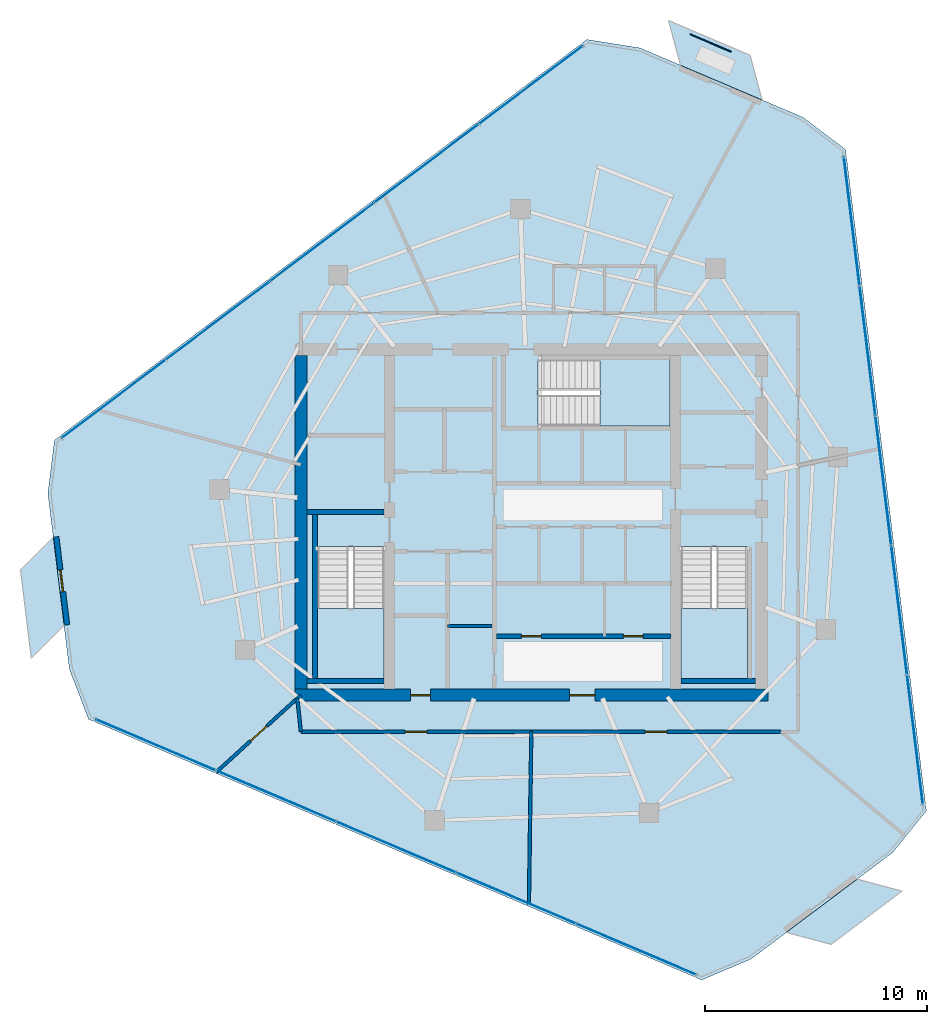
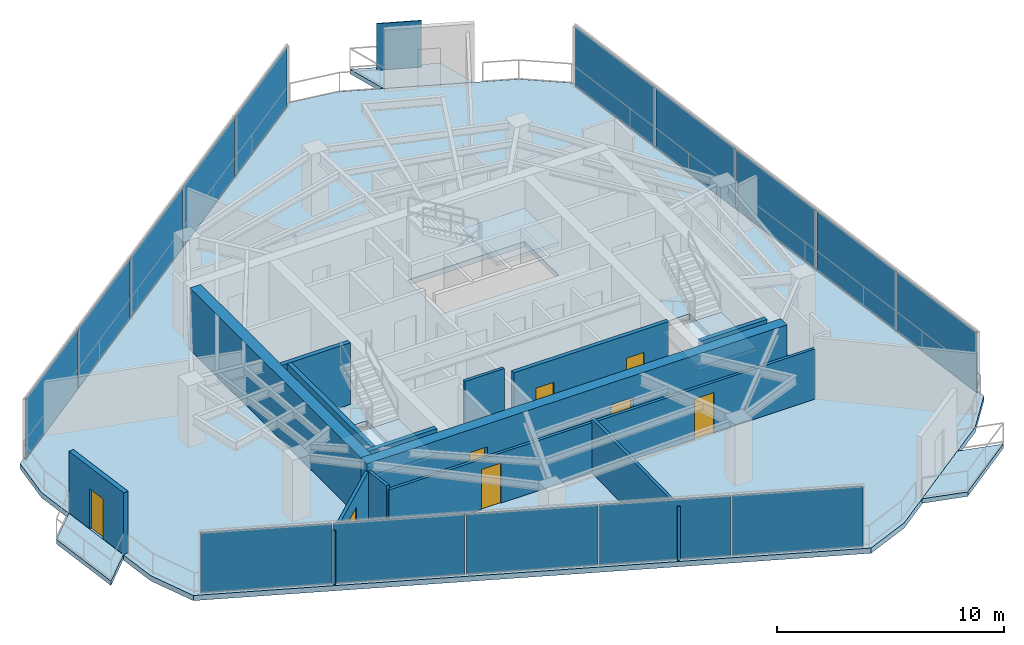
# One storey, part 13 of 18: 16 plates, 14 walls, 8 doors, 7 slabs, 8 openings, 6 elements without a shape of their own.
"""IFC4 building model written with IfcOpenShell, lengths in metres."""

from ifc_helpers import new_model, si_unit, direction, frame, frame_2d, origin, origin_2d, place, context, subcontext, project, spatial, polyline, rectangle, outline, extrude, material, layer, layer_set, type_object, element, fill, aggregate, save


model = new_model("IFC4")

# Units and contexts
model_context = context("Model", 3, precision=1e-05, world=origin(), true_north=direction((0.0, 1.0)))
body_context = subcontext(model_context, "Body", "Model", "MODEL_VIEW")
ifc_project = project(units=[si_unit("LENGTHUNIT", "METRE"), si_unit("AREAUNIT", "SQUARE_METRE"), si_unit("VOLUMEUNIT", "CUBIC_METRE"), si_unit("PLANEANGLEUNIT", "RADIAN"), si_unit("MASSUNIT", "GRAM", prefix="KILO")], contexts=[model_context])

# Site, building, storey
site_placement = place(None, origin())
site = spatial("IfcSite", under=ifc_project, at=site_placement, CompositionType="ELEMENT")
building_placement = place(site_placement, origin())
building = spatial("IfcBuilding", under=site, at=building_placement, Name="Qarnah Convention Tower", CompositionType="ELEMENT")
storey_placement = place(building_placement, frame((0.0, 0.0, 205.800048828125)))
storey = spatial("IfcBuildingStorey", under=building, at=storey_placement, Name="L55", CompositionType="ELEMENT", Elevation=205.800048828125)

# Curtain wall, plates
ifc_material_1 = material(Name="Tempered Low-E dark glass", Category="glass")
ifc_layer_1 = layer(ifc_material_1, 0.174072265625)
ifc_layer_set_1 = layer_set([ifc_layer_1], Name="Tempered Low-E dark glass")
curtain_wall_type = type_object("IfcCurtainWallType", Name="CWS-04", PredefinedType="NOTDEFINED", material=ifc_layer_set_1)
curtain_wall_1_placement = place(storey_placement, origin())
curtain_wall_1 = element("IfcCurtainWall", 1, at=curtain_wall_1_placement, inside=storey, type_object=curtain_wall_type, Name="L55 unitised curtain wall CW-L55-F1", PredefinedType="NOTDEFINED")
ifc_layer_2 = layer(ifc_material_1, 0.033935546875)
ifc_layer_set_2 = layer_set([ifc_layer_2], Name="Tempered Low-E dark glass")
plate_type_1 = type_object("IfcPlateType", Name="PNL-T4", PredefinedType="CURTAIN_PANEL", material=ifc_layer_set_2)
plate_1_placement = place(storey_placement, frame((41.947265625, 7.122314453125, 0.0400390625), z_axis=(0.0, 0.0, 1.0), x_axis=(-0.920229798126, 0.391378485155, 0.0)))
plate_1 = element("IfcPlate", 2, at=plate_1_placement, type_object=plate_type_1, Name="CW-L55-F1 curtain panel 1.1", PredefinedType="CURTAIN_PANEL", context=body_context, shape_type="SweptSolid", body=[
    extrude(rectangle(XDim=5.8134765625, YDim=0.033935546875, at=origin_2d()), origin(), (0.0, 0.0, 1.0), 3.239990234375),
])
plate_2_placement = place(storey_placement, frame((36.52392578125, 9.428955078125, 0.0400390625), z_axis=(0.0, 0.0, 1.0), x_axis=(-0.920229798126, 0.391378485155, 0.0)))
plate_2 = element("IfcPlate", 3, at=plate_2_placement, type_object=plate_type_1, Name="CW-L55-F1 curtain panel 2.1", PredefinedType="CURTAIN_PANEL", context=body_context, shape_type="SweptSolid", body=[
    extrude(rectangle(XDim=5.8134765625, YDim=0.033935546875, at=origin_2d()), origin(), (0.0, 0.0, 1.0), 3.239990234375),
])
plate_3_placement = place(storey_placement, frame((31.1005859375, 11.735595703125, 0.0400390625), z_axis=(0.0, 0.0, 1.0), x_axis=(-0.920229798126, 0.391378485155, 0.0)))
plate_3 = element("IfcPlate", 4, at=plate_3_placement, type_object=plate_type_1, Name="CW-L55-F1 curtain panel 3.1", PredefinedType="CURTAIN_PANEL", context=body_context, shape_type="SweptSolid", body=[
    extrude(rectangle(XDim=5.8134765625, YDim=0.033935546875, at=origin_2d()), origin(), (0.0, 0.0, 1.0), 3.239990234375),
])
plate_4_placement = place(storey_placement, frame((25.677001953125, 14.0419921875, 0.0400390625), z_axis=(0.0, 0.0, 1.0), x_axis=(-0.920229798126, 0.391378485155, 0.0)))
plate_4 = element("IfcPlate", 5, at=plate_4_placement, type_object=plate_type_1, Name="CW-L55-F1 curtain panel 4.1", PredefinedType="CURTAIN_PANEL", context=body_context, shape_type="SweptSolid", body=[
    extrude(rectangle(XDim=5.8134765625, YDim=0.033935546875, at=origin_2d()), origin(), (0.0, 0.0, 1.0), 3.239990234375),
])
plate_5_placement = place(storey_placement, frame((20.253662109375, 16.3486328125, 0.0400390625), z_axis=(0.0, 0.0, 1.0), x_axis=(-0.920229798126, 0.391378485155, 0.0)))
plate_5 = element("IfcPlate", 6, at=plate_5_placement, type_object=plate_type_1, Name="CW-L55-F1 curtain panel 5.1", PredefinedType="CURTAIN_PANEL", context=body_context, shape_type="SweptSolid", body=[
    extrude(rectangle(XDim=5.8134765625, YDim=0.033935546875, at=origin_2d()), origin(), (0.0, 0.0, 1.0), 3.239990234375),
])
aggregate(curtain_wall_1, [plate_1, plate_2, plate_3, plate_4, plate_5])

curtain_wall_2_placement = place(storey_placement, origin())
curtain_wall_2 = element("IfcCurtainWall", 7, at=curtain_wall_2_placement, inside=storey, type_object=curtain_wall_type, Name="L55 unitised curtain wall CW-L55-F2", PredefinedType="NOTDEFINED")
plate_6_placement = place(storey_placement, frame((18.347412109375, 31.9619140625, 0.0400390625), z_axis=(0.0, 0.0, 1.0), x_axis=(0.799033812061, 0.601286094287, 0.0)))
plate_6 = element("IfcPlate", 8, at=plate_6_placement, type_object=plate_type_1, Name="CW-L55-F2 curtain panel 1.1", PredefinedType="CURTAIN_PANEL", context=body_context, shape_type="SweptSolid", body=[
    extrude(rectangle(XDim=5.8134765625, YDim=0.033935546875, at=origin_2d()), origin(), (0.0, 0.0, 1.0), 3.239990234375),
])
plate_7_placement = place(storey_placement, frame((23.056396484375, 35.50537109375, 0.0400390625), z_axis=(0.0, 0.0, 1.0), x_axis=(0.799033812061, 0.601286094287, 0.0)))
plate_7 = element("IfcPlate", 9, at=plate_7_placement, type_object=plate_type_1, Name="CW-L55-F2 curtain panel 2.1", PredefinedType="CURTAIN_PANEL", context=body_context, shape_type="SweptSolid", body=[
    extrude(rectangle(XDim=5.8134765625, YDim=0.033935546875, at=origin_2d()), origin(), (0.0, 0.0, 1.0), 3.239990234375),
])
plate_8_placement = place(storey_placement, frame((27.765380859375, 39.049072265625, 0.0400390625), z_axis=(0.0, 0.0, 1.0), x_axis=(0.799033812061, 0.601286094287, 0.0)))
plate_8 = element("IfcPlate", 10, at=plate_8_placement, type_object=plate_type_1, Name="CW-L55-F2 curtain panel 3.1", PredefinedType="CURTAIN_PANEL", context=body_context, shape_type="SweptSolid", body=[
    extrude(rectangle(XDim=5.8134765625, YDim=0.033935546875, at=origin_2d()), origin(), (0.0, 0.0, 1.0), 3.239990234375),
])
plate_9_placement = place(storey_placement, frame((32.474609375, 42.592529296875, 0.0400390625), z_axis=(0.0, 0.0, 1.0), x_axis=(0.799033812061, 0.601286094287, 0.0)))
plate_9 = element("IfcPlate", 11, at=plate_9_placement, type_object=plate_type_1, Name="CW-L55-F2 curtain panel 4.1", PredefinedType="CURTAIN_PANEL", context=body_context, shape_type="SweptSolid", body=[
    extrude(rectangle(XDim=5.8134765625, YDim=0.033935546875, at=origin_2d()), origin(), (0.0, 0.0, 1.0), 3.239990234375),
])
plate_10_placement = place(storey_placement, frame((37.18359375, 46.13623046875, 0.0400390625), z_axis=(0.0, 0.0, 1.0), x_axis=(0.799033812061, 0.601286094287, 0.0)))
plate_10 = element("IfcPlate", 12, at=plate_10_placement, type_object=plate_type_1, Name="CW-L55-F2 curtain panel 5.1", PredefinedType="CURTAIN_PANEL", context=body_context, shape_type="SweptSolid", body=[
    extrude(rectangle(XDim=5.8134765625, YDim=0.033935546875, at=origin_2d()), origin(), (0.0, 0.0, 1.0), 3.239990234375),
])
aggregate(curtain_wall_2, [plate_6, plate_7, plate_8, plate_9, plate_10])

curtain_wall_3_placement = place(storey_placement, origin())
curtain_wall_3 = element("IfcCurtainWall", 13, at=curtain_wall_3_placement, inside=storey, type_object=curtain_wall_type, Name="L55 unitised curtain wall CW-L55-F3", PredefinedType="NOTDEFINED")
plate_11_placement = place(storey_placement, frame((51.6591796875, 39.97998046875, 0.0400390625), z_axis=(0.0, 0.0, 1.0), x_axis=(0.121219125701, -0.992625772164, 0.0)))
plate_11 = element("IfcPlate", 14, at=plate_11_placement, type_object=plate_type_1, Name="CW-L55-F3 curtain panel 1.1", PredefinedType="CURTAIN_PANEL", context=body_context, shape_type="SweptSolid", body=[
    extrude(rectangle(XDim=5.8134765625, YDim=0.033935546875, at=origin_2d()), origin(), (0.0, 0.0, 1.0), 3.239990234375),
])
plate_12_placement = place(storey_placement, frame((52.37353515625, 34.1298828125, 0.0400390625), z_axis=(0.0, 0.0, 1.0), x_axis=(0.121219125701, -0.992625772164, 0.0)))
plate_12 = element("IfcPlate", 15, at=plate_12_placement, type_object=plate_type_1, Name="CW-L55-F3 curtain panel 2.1", PredefinedType="CURTAIN_PANEL", context=body_context, shape_type="SweptSolid", body=[
    extrude(rectangle(XDim=5.8134765625, YDim=0.033935546875, at=origin_2d()), origin(), (0.0, 0.0, 1.0), 3.239990234375),
])
plate_13_placement = place(storey_placement, frame((53.087890625, 28.280029296875, 0.0400390625), z_axis=(0.0, 0.0, 1.0), x_axis=(0.121219125701, -0.992625772164, 0.0)))
plate_13 = element("IfcPlate", 16, at=plate_13_placement, type_object=plate_type_1, Name="CW-L55-F3 curtain panel 3.1", PredefinedType="CURTAIN_PANEL", context=body_context, shape_type="SweptSolid", body=[
    extrude(rectangle(XDim=5.8134765625, YDim=0.033935546875, at=origin_2d()), origin(), (0.0, 0.0, 1.0), 3.239990234375),
])
plate_14_placement = place(storey_placement, frame((53.802490234375, 22.429931640625, 0.0400390625), z_axis=(0.0, 0.0, 1.0), x_axis=(0.121219125701, -0.992625772164, 0.0)))
plate_14 = element("IfcPlate", 17, at=plate_14_placement, type_object=plate_type_1, Name="CW-L55-F3 curtain panel 4.1", PredefinedType="CURTAIN_PANEL", context=body_context, shape_type="SweptSolid", body=[
    extrude(rectangle(XDim=5.8134765625, YDim=0.033935546875, at=origin_2d()), origin(), (0.0, 0.0, 1.0), 3.239990234375),
])
plate_15_placement = place(storey_placement, frame((54.516845703125, 16.580078125, 0.0400390625), z_axis=(0.0, 0.0, 1.0), x_axis=(0.121219125701, -0.992625772164, 0.0)))
plate_15 = element("IfcPlate", 18, at=plate_15_placement, type_object=plate_type_1, Name="CW-L55-F3 curtain panel 5.1", PredefinedType="CURTAIN_PANEL", context=body_context, shape_type="SweptSolid", body=[
    extrude(rectangle(XDim=5.8134765625, YDim=0.033935546875, at=origin_2d()), origin(), (0.0, 0.0, 1.0), 3.239990234375),
])
aggregate(curtain_wall_3, [plate_11, plate_12, plate_13, plate_14, plate_15])

# Plate
ifc_material_2 = material(Name="Black anodised aluminium", Category="aluminium")
ifc_layer_3 = layer(ifc_material_2, 0.044921875)
ifc_layer_set_3 = layer_set([ifc_layer_3], Name="Black anodised aluminium")
plate_type_2 = type_object("IfcPlateType", Name="SCR-BAL-18", PredefinedType="USERDEFINED", material=ifc_layer_set_3)
plate_16_placement = place(storey_placement, frame((45.294921875, 48.027099609375, 0.0), z_axis=(0.0, 0.0, 1.0), x_axis=(0.920188808021, -0.391474849247, 0.0)))
element("IfcPlate", 19, at=plate_16_placement, inside=storey, type_object=plate_type_2, Name="L55 perforated desert solar screen BAL-L55-C1", ObjectType="SCREEN", PredefinedType="USERDEFINED", context=body_context, shape_type="SweptSolid", body=[
    extrude(rectangle(XDim=2.0, YDim=0.044921875, at=origin_2d()), origin(), (0.0, 0.0, 1.0), 2.5),
])

# Slabs
ifc_material_3 = material(Name="Concrete C45/55", Category="concrete")
ifc_layer_4 = layer(ifc_material_3, 0.239990234375)
ifc_layer_set_4 = layer_set([ifc_layer_4], Name="Concrete C45/55")
slab_type_1 = type_object("IfcSlabType", Name="SLB-BAL-240", PredefinedType="USERDEFINED", material=ifc_layer_set_4)
slab_1_placement = place(storey_placement, frame((0.0, 0.0, -0.239990234375)))
element("IfcSlab", 20, at=slab_1_placement, inside=storey, type_object=slab_type_1, Name="L55 cantilevered balcony slab BAL-L55-C1", ObjectType="BALCONY", PredefinedType="USERDEFINED", context=body_context, shape_type="SweptSolid", body=[
    extrude(outline(polyline([(43.39208984375, 49.0419921875), (47.072998046875, 47.47607421875), (47.614013671875, 45.455078125), (43.93310546875, 47.02099609375), (43.39208984375, 49.0419921875)])), origin(), (0.0, 0.0, 1.0), 0.239990234375),
])
slab_2_placement = place(storey_placement, frame((0.0, 0.0, -0.239990234375)))
element("IfcSlab", 21, at=slab_2_placement, inside=storey, type_object=slab_type_1, Name="L55 cantilevered balcony slab BAL-L55-C2", ObjectType="BALCONY", PredefinedType="USERDEFINED", context=body_context, shape_type="SweptSolid", body=[
    extrude(outline(polyline([(14.633056640625, 20.27197265625), (14.14892578125, 24.242919921875), (15.6298828125, 25.721923828125), (16.114013671875, 21.7509765625), (14.633056640625, 20.27197265625)])), origin(), (0.0, 0.0, 1.0), 0.239990234375),
])
slab_3_placement = place(storey_placement, frame((0.0, 0.0, -0.239990234375)))
element("IfcSlab", 22, at=slab_3_placement, inside=storey, type_object=slab_type_1, Name="L55 cantilevered balcony slab BAL-L55-C3", ObjectType="BALCONY", PredefinedType="USERDEFINED", context=body_context, shape_type="SweptSolid", body=[
    extrude(outline(polyline([(53.927978515625, 9.7509765625), (50.73193359375, 7.345947265625), (48.7109375, 7.888916015625), (51.906982421875, 10.2939453125), (53.927978515625, 9.7509765625)])), origin(), (0.0, 0.0, 1.0), 0.239990234375),
])

# Stair, slab
ifc_material_4 = material(Name="Concrete C50/60", Category="concrete")
stair_type = type_object("IfcStairType", Name="STR-OFF", PredefinedType="HALF_TURN_STAIR", material=ifc_material_4)
stair_1_placement = place(storey_placement, origin())
stair_1 = element("IfcStair", 23, at=stair_1_placement, inside=storey, type_object=stair_type, Name="L55 Core exit stair ST-1", PredefinedType="HALF_TURN_STAIR")
ifc_layer_5 = layer(ifc_material_4, 0.199951171875)
ifc_layer_set_5 = layer_set([ifc_layer_5], Name="Concrete C50/60")
slab_type_2 = type_object("IfcSlabType", Name="SLB-LANDING-200", PredefinedType="LANDING", material=ifc_layer_set_5)
slab_4_placement = place(storey_placement, frame((0.0, 0.0, 1.599853515625)))
slab_4 = element("IfcSlab", 24, at=slab_4_placement, type_object=slab_type_2, Name="ST-1 landing 1", PredefinedType="LANDING", context=body_context, shape_type="SweptSolid", body=[
    extrude(outline(polyline([(27.550048828125, 22.5), (27.550048828125, 19.35009765625), (30.550048828125, 19.35009765625), (30.550048828125, 22.5), (27.550048828125, 22.5)])), origin(), (0.0, 0.0, 1.0), 0.2001953125),
])
aggregate(stair_1, [slab_4])

stair_2_placement = place(storey_placement, origin())
stair_2 = element("IfcStair", 25, at=stair_2_placement, inside=storey, type_object=stair_type, Name="L55 Core exit stair ST-2", PredefinedType="HALF_TURN_STAIR")
slab_5_placement = place(storey_placement, frame((0.0, 0.0, 1.599853515625)))
slab_5 = element("IfcSlab", 26, at=slab_5_placement, type_object=slab_type_2, Name="ST-2 landing 1", PredefinedType="LANDING", context=body_context, shape_type="SweptSolid", body=[
    extrude(outline(polyline([(43.949951171875, 22.5), (43.949951171875, 19.35009765625), (46.949951171875, 19.35009765625), (46.949951171875, 22.5), (43.949951171875, 22.5)])), origin(), (0.0, 0.0, 1.0), 0.2001953125),
])
aggregate(stair_2, [slab_5])

stair_3_placement = place(storey_placement, origin())
stair_3 = element("IfcStair", 27, at=stair_3_placement, inside=storey, type_object=stair_type, Name="L55 Core exit stair ST-3", PredefinedType="HALF_TURN_STAIR")
slab_6_placement = place(storey_placement, frame((0.0, 0.0, 1.599853515625)))
slab_6 = element("IfcSlab", 28, at=slab_6_placement, type_object=slab_type_2, Name="ST-3 landing 1", PredefinedType="LANDING", context=body_context, shape_type="SweptSolid", body=[
    extrude(outline(polyline([(40.300048828125, 30.75), (43.449951171875, 30.75), (43.449951171875, 33.75), (40.300048828125, 33.75), (40.300048828125, 30.75)])), origin(), (0.0, 0.0, 1.0), 0.2001953125),
])
aggregate(stair_3, [slab_6])

# Slab
ifc_layer_6 = layer(ifc_material_3, 0.280029296875)
ifc_layer_set_6 = layer_set([ifc_layer_6], Name="Concrete C45/55")
slab_type_3 = type_object("IfcSlabType", Name="SLB-TWR-280", PredefinedType="FLOOR", material=ifc_layer_set_6)
slab_7_placement = place(storey_placement, frame((0.0, 0.0, -0.280029296875)))
element("IfcSlab", 29, at=slab_7_placement, inside=storey, type_object=slab_type_3, Name="L55 structural floor slab", PredefinedType="FLOOR", context=body_context, shape_type="SweptSolid", body=[
    extrude(outline(polyline([(39.7060546875, 48.18408203125), (15.680908203125, 30.10595703125), (15.384033203125, 27.699951171875), (16.35205078125, 19.77294921875), (17.218994140625, 17.509033203125), (44.887939453125, 5.740966796875), (47.1201171875, 6.68701171875), (53.501953125, 11.489013671875), (55.029052734375, 13.3720703125), (51.385009765625, 43.217041015625), (49.449951171875, 44.677978515625), (42.10107421875, 47.803955078125), (39.7060546875, 48.18408203125)]), holes=[polyline([(27.550048828125, 25.300048828125), (27.550048828125, 19.35009765625), (30.550048828125, 19.35009765625), (30.550048828125, 25.300048828125), (27.550048828125, 25.300048828125)]), polyline([(43.949951171875, 25.300048828125), (43.949951171875, 19.35009765625), (46.949951171875, 19.35009765625), (46.949951171875, 25.300048828125), (43.949951171875, 25.300048828125)]), polyline([(37.5, 30.75), (43.449951171875, 30.75), (43.449951171875, 33.75), (37.5, 33.75), (37.5, 30.75)])]), origin(), (0.0, 0.0, 1.0), 0.280029296875),
])

# Wall, openings, doors
ifc_material_5 = material(Name="Concrete C60/75", Category="concrete")
ifc_layer_7 = layer(ifc_material_5, 0.550048828125)
ifc_layer_set_7 = layer_set([ifc_layer_7], Name="Concrete C60/75")
wall_type_1 = type_object("IfcWallType", Name="WL-CORE-550", PredefinedType="SHEAR", material=ifc_layer_set_7)
wall_1_placement = place(storey_placement, frame((26.52490234375, 18.60009765625, 0.0), z_axis=(0.0, 0.0, 1.0), x_axis=(1.0, 0.0, 0.0)))
wall_1 = element("IfcWall", 30, at=wall_1_placement, inside=storey, type_object=wall_type_1, Name="L55 core south shear wall", PredefinedType="SHEAR", context=body_context, shape_type="SweptSolid", body=[
    extrude(rectangle(XDim=21.35009765625, YDim=0.550048828125, at=frame_2d((10.675048828125, 0.0))), origin(), (0.0, 0.0, 1.0), 3.320068359375),
])
opening_1_placement = place(wall_1_placement, frame((12.39990234375, 0.0, 0.0)))
opening_1 = element("IfcOpeningElement", 31, at=opening_1_placement, cuts=wall_1, Name="Opening D-5507", PredefinedType="OPENING", context=body_context, shape_type="SweptSolid", body=[
    extrude(rectangle(XDim=1.14990234375, YDim=2.14990234375, at=frame_2d((0.574951171875, 1.074951171875))), frame((0.0, 0.284912109375, 0.0), z_axis=(0.0, -1.0, 0.0), x_axis=(1.0, 0.0, 0.0)), (0.0, 0.0, 1.0), 0.570068359375),
])
opening_2_placement = place(wall_1_placement, frame((5.22509765625, 0.0, 0.0)))
opening_2 = element("IfcOpeningElement", 32, at=opening_2_placement, cuts=wall_1, Name="Opening D-5513", PredefinedType="OPENING", context=body_context, shape_type="SweptSolid", body=[
    extrude(rectangle(XDim=0.89990234375, YDim=2.10009765625, at=frame_2d((0.449951171875, 1.050048828125))), frame((0.0, 0.284912109375, 0.0), z_axis=(0.0, -1.0, 0.0), x_axis=(1.0, 0.0, 0.0)), (0.0, 0.0, 1.0), 0.570068359375),
])
ifc_material_6 = material(Name="Structural steel S355JR", Category="steel")
door_type_1 = type_object("IfcDoorType", Name="DT-LOBBY-1150", OperationType="NOTDEFINED", PredefinedType="DOOR", material=ifc_material_6)
door_1_placement = place(opening_1_placement, origin())
door_1 = element("IfcDoor", 33, at=door_1_placement, inside=storey, type_object=door_type_1, Name="Door D-5507", OperationType="SINGLE_SWING_LEFT", OverallHeight=2.14990234375, OverallWidth=1.14990234375, PredefinedType="DOOR", context=body_context, shape_type="SweptSolid", body=[
    extrude(rectangle(XDim=1.14990234375, YDim=2.14990234375, at=frame_2d((0.574951171875, 1.074951171875))), frame((0.0, 0.02490234375, 0.0), z_axis=(0.0, -1.0, 0.0), x_axis=(1.0, 0.0, 0.0)), (0.0, 0.0, 1.0), 0.050048828125),
])
fill(opening_1, door_1)
door_type_2 = type_object("IfcDoorType", Name="DT-RISER-900", OperationType="NOTDEFINED", PredefinedType="DOOR", material=ifc_material_6)
door_2_placement = place(opening_2_placement, origin())
door_2 = element("IfcDoor", 34, at=door_2_placement, inside=storey, type_object=door_type_2, Name="Door D-5513", OperationType="SINGLE_SWING_LEFT", OverallHeight=2.10009765625, OverallWidth=0.89990234375, PredefinedType="DOOR", context=body_context, shape_type="SweptSolid", body=[
    extrude(rectangle(XDim=0.89990234375, YDim=2.10009765625, at=frame_2d((0.449951171875, 1.050048828125))), frame((0.0, 0.02490234375, 0.0), z_axis=(0.0, -1.0, 0.0), x_axis=(1.0, 0.0, 0.0)), (0.0, 0.0, 1.0), 0.050048828125),
])
fill(opening_2, door_2)

# Wall
wall_2_placement = place(storey_placement, frame((26.800048828125, 18.875, 0.0), z_axis=(0.0, 0.0, 1.0), x_axis=(0.0, 1.0, 0.0)))
element("IfcWall", 35, at=wall_2_placement, inside=storey, type_object=wall_type_1, Name="L55 core west shear wall", PredefinedType="SHEAR", context=body_context, shape_type="SweptSolid", body=[
    extrude(rectangle(XDim=15.050048828125, YDim=0.550048828125, at=frame_2d((7.52490234375, 0.0))), origin(), (0.0, 0.0, 1.0), 3.320068359375),
])

# Wall, openings, doors
ifc_layer_8 = layer(ifc_material_3, 0.199951171875)
ifc_layer_set_8 = layer_set([ifc_layer_8], Name="Concrete C45/55")
wall_type_2 = type_object("IfcWallType", Name="WL-CORE-PART-200", PredefinedType="SOLIDWALL", material=ifc_layer_set_8)
wall_3_placement = place(storey_placement, frame((35.6201171875, 21.25, 0.0), z_axis=(0.0, 0.0, 1.0), x_axis=(1.0, 0.0, 0.0)))
wall_3 = element("IfcWall", 36, at=wall_3_placement, inside=storey, type_object=wall_type_2, Name="L55 interior wall IW-L55-PLS", PredefinedType="SOLIDWALL", context=body_context, shape_type="SweptSolid", body=[
    extrude(rectangle(XDim=7.8798828125, YDim=0.199951171875, at=frame_2d((3.93994140625, 0.0))), origin(), (0.0, 0.0, 1.0), 3.320068359375),
])
opening_3_placement = place(wall_3_placement, frame((1.1298828125, 0.0, 0.0)))
opening_3 = element("IfcOpeningElement", 37, at=opening_3_placement, cuts=wall_3, Name="Opening D-5516", PredefinedType="OPENING", context=body_context, shape_type="SweptSolid", body=[
    extrude(rectangle(XDim=0.89990234375, YDim=2.10009765625, at=frame_2d((0.449951171875, 1.050048828125))), frame((0.0, 0.10986328125, 0.0), z_axis=(0.0, -1.0, 0.0), x_axis=(1.0, 0.0, 0.0)), (0.0, 0.0, 1.0), 0.219970703125),
])
opening_4_placement = place(wall_3_placement, frame((5.72998046875, 0.0, 0.0)))
opening_4 = element("IfcOpeningElement", 38, at=opening_4_placement, cuts=wall_3, Name="Opening D-5517", PredefinedType="OPENING", context=body_context, shape_type="SweptSolid", body=[
    extrude(rectangle(XDim=0.89990234375, YDim=2.10009765625, at=frame_2d((0.449951171875, 1.050048828125))), frame((0.0, 0.10986328125, 0.0), z_axis=(0.0, -1.0, 0.0), x_axis=(1.0, 0.0, 0.0)), (0.0, 0.0, 1.0), 0.219970703125),
])
door_3_placement = place(opening_3_placement, origin())
door_3 = element("IfcDoor", 39, at=door_3_placement, inside=storey, type_object=door_type_2, Name="Door D-5516", OperationType="SINGLE_SWING_RIGHT", OverallHeight=2.10009765625, OverallWidth=0.89990234375, PredefinedType="DOOR", context=body_context, shape_type="SweptSolid", body=[
    extrude(rectangle(XDim=0.89990234375, YDim=2.10009765625, at=frame_2d((0.449951171875, 1.050048828125))), frame((0.0, 0.02490234375, 0.0), z_axis=(0.0, -1.0, 0.0), x_axis=(1.0, 0.0, 0.0)), (0.0, 0.0, 1.0), 0.050048828125),
])
fill(opening_3, door_3)
door_4_placement = place(opening_4_placement, origin())
door_4 = element("IfcDoor", 40, at=door_4_placement, inside=storey, type_object=door_type_2, Name="Door D-5517", OperationType="SINGLE_SWING_LEFT", OverallHeight=2.10009765625, OverallWidth=0.89990234375, PredefinedType="DOOR", context=body_context, shape_type="SweptSolid", body=[
    extrude(rectangle(XDim=0.89990234375, YDim=2.10009765625, at=frame_2d((0.449951171875, 1.050048828125))), frame((0.0, 0.02490234375, 0.0), z_axis=(0.0, -1.0, 0.0), x_axis=(1.0, 0.0, 0.0)), (0.0, 0.0, 1.0), 0.050048828125),
])
fill(opening_4, door_4)

# Walls
ifc_layer_9 = layer(ifc_material_5, 0.219970703125)
ifc_layer_set_9 = layer_set([ifc_layer_9], Name="Concrete C60/75")
wall_type_3 = type_object("IfcWallType", Name="WL-CORE-STAIR-220", PredefinedType="SHEAR", material=ifc_layer_set_9)
wall_4_placement = place(storey_placement, frame((27.074951171875, 26.860107421875, 0.0), z_axis=(0.0, 0.0, 1.0), x_axis=(1.0, 0.0, 0.0)))
element("IfcWall", 41, at=wall_4_placement, inside=storey, type_object=wall_type_3, Name="L55 stair shaft shear wall SW-L55-ST1N", PredefinedType="SHEAR", context=body_context, shape_type="SweptSolid", body=[
    extrude(rectangle(XDim=3.47509765625, YDim=0.219970703125, at=frame_2d((1.737548828125, 0.0))), origin(), (0.0, 0.0, 1.0), 3.320068359375),
])
wall_5_placement = place(storey_placement, frame((27.43994140625, 19.35009765625, 0.0), z_axis=(0.0, 0.0, 1.0), x_axis=(0.0, 1.0, 0.0)))
element("IfcWall", 42, at=wall_5_placement, inside=storey, type_object=wall_type_3, Name="L55 stair shaft shear wall SW-L55-ST1W", PredefinedType="SHEAR", context=body_context, shape_type="SweptSolid", body=[
    extrude(rectangle(XDim=7.39990234375, YDim=0.219970703125, at=frame_2d((3.699951171875, 0.0))), origin(), (0.0, 0.0, 1.0), 3.320068359375),
])
wall_6_placement = place(storey_placement, frame((27.074951171875, 19.239990234375, 0.0), z_axis=(0.0, 0.0, 1.0), x_axis=(1.0, 0.0, 0.0)))
element("IfcWall", 43, at=wall_6_placement, inside=storey, type_object=wall_type_3, Name="L55 stair shaft shear wall SW-L55-ST1S", PredefinedType="SHEAR", context=body_context, shape_type="SweptSolid", body=[
    extrude(rectangle(XDim=3.47509765625, YDim=0.219970703125, at=frame_2d((1.737548828125, 0.0))), origin(), (0.0, 0.0, 1.0), 3.320068359375),
])
wall_7_placement = place(storey_placement, frame((43.949951171875, 19.239990234375, 0.0), z_axis=(0.0, 0.0, 1.0), x_axis=(1.0, 0.0, 0.0)))
element("IfcWall", 44, at=wall_7_placement, inside=storey, type_object=wall_type_3, Name="L55 stair shaft shear wall SW-L55-ST2S", PredefinedType="SHEAR", context=body_context, shape_type="SweptSolid", body=[
    extrude(rectangle(XDim=3.375, YDim=0.219970703125, at=frame_2d((1.6875, 0.0))), origin(), (0.0, 0.0, 1.0), 3.320068359375),
])

# Wall, opening, door
ifc_material_7 = material(Name="Precast concrete C45/55", Category="concrete")
ifc_layer_10 = layer(ifc_material_7, 0.239990234375)
ifc_layer_set_10 = layer_set([ifc_layer_10], Name="Precast concrete C45/55")
wall_type_4 = type_object("IfcWallType", Name="WL-EXT-BAL-240", PredefinedType="SOLIDWALL", material=ifc_layer_set_10)
wall_8_placement = place(storey_placement, frame((16.2490234375, 21.76806640625, 0.0), z_axis=(0.0, 0.0, 1.0), x_axis=(-0.121262640542, 0.992620457178, 0.0)))
wall_8 = element("IfcWall", 45, at=wall_8_placement, inside=storey, type_object=wall_type_4, Name="L55 loggia threshold wall BAL-L55-C2", PredefinedType="SOLIDWALL", context=body_context, shape_type="SweptSolid", body=[
    extrude(rectangle(XDim=4.00048828125, YDim=0.239990234375, at=frame_2d((2.000244140625, 0.0))), origin(), (0.0, 0.0, 1.0), 3.320068359375),
])
opening_5_placement = place(wall_8_placement, frame((1.5, 0.0, 0.0)))
opening_5 = element("IfcOpeningElement", 46, at=opening_5_placement, cuts=wall_8, Name="Opening BD-5502", PredefinedType="OPENING", context=body_context, shape_type="SweptSolid", body=[
    extrude(rectangle(XDim=1.0, YDim=2.14990234375, at=frame_2d((0.5, 1.074951171875))), frame((0.0, 0.1298828125, 0.0), z_axis=(0.0, -1.0, 0.0), x_axis=(1.0, 0.0, 0.0)), (0.0, 0.0, 1.0), 0.260009765625),
])
door_type_3 = type_object("IfcDoorType", Name="DT-BAL-1000", OperationType="NOTDEFINED", PredefinedType="DOOR", material=ifc_material_2)
door_5_placement = place(opening_5_placement, origin())
door_5 = element("IfcDoor", 47, at=door_5_placement, inside=storey, type_object=door_type_3, Name="L55 balcony terrace door BAL-L55-C2", OperationType="SINGLE_SWING_LEFT", OverallHeight=2.14990234375, OverallWidth=1.0, PredefinedType="DOOR", context=body_context, shape_type="SweptSolid", body=[
    extrude(rectangle(XDim=1.0, YDim=2.14990234375, at=frame_2d((0.5, 1.074951171875))), frame((0.0, 0.02490234375, 0.0), z_axis=(0.0, -1.0, 0.0), x_axis=(1.0, 0.0, 0.0)), (0.0, 0.0, 1.0), 0.050048828125),
])
fill(opening_5, door_5)

# Wall
ifc_material_8 = material(Name="Gypsum partition board")
ifc_layer_11 = layer(ifc_material_8, 0.14990234375)
ifc_layer_set_11 = layer_set([ifc_layer_11], Name="Gypsum partition board")
wall_type_5 = type_object("IfcWallType", Name="WL-SUITE-150", PredefinedType="PARTITIONING", material=ifc_layer_set_11)
wall_9_placement = place(storey_placement, frame((33.419921875, 21.719970703125, 0.0), z_axis=(0.0, 0.0, 1.0), x_axis=(1.0, 0.0, 0.0)))
element("IfcWall", 48, at=wall_9_placement, inside=storey, type_object=wall_type_5, Name="L55 interior wall IW-L55-CSV1", PredefinedType="PARTITIONING", context=body_context, shape_type="SweptSolid", body=[
    extrude(rectangle(XDim=2.0, YDim=0.14990234375, at=frame_2d((1.0, 0.0))), origin(), (0.0, 0.0, 1.0), 3.320068359375),
])

# Wall, opening, door
wall_10_placement = place(storey_placement, frame((22.992919921875, 15.12890625, 0.0), z_axis=(0.0, 0.0, 1.0), x_axis=(0.73895723173, 0.673752335561, 0.0)))
wall_10 = element("IfcWall", 49, at=wall_10_placement, inside=storey, type_object=wall_type_5, Name="L55 interior wall IW-L55-R-19", PredefinedType="PARTITIONING", context=body_context, shape_type="SweptSolid", body=[
    extrude(rectangle(XDim=5.152099609375, YDim=0.14990234375, at=frame_2d((2.576171875, 0.0))), origin(), (0.0, 0.0, 1.0), 2.905029296875),
])
opening_6_placement = place(wall_10_placement, frame((2.075927734375, 0.0, 0.0)))
opening_6 = element("IfcOpeningElement", 50, at=opening_6_placement, cuts=wall_10, Name="Opening D-5523", PredefinedType="OPENING", context=body_context, shape_type="SweptSolid", body=[
    extrude(rectangle(XDim=1.0, YDim=2.14990234375, at=frame_2d((0.5, 1.074951171875))), frame((0.0, 0.0849609375, 0.0), z_axis=(0.0, -1.0, 0.0), x_axis=(1.0, 0.0, 0.0)), (0.0, 0.0, 1.0), 0.169921875),
])
ifc_material_9 = material(Name="Oak timber veneer", Category="wood")
door_type_4 = type_object("IfcDoorType", Name="DT-OFFICE-1000", OperationType="NOTDEFINED", PredefinedType="DOOR", material=ifc_material_9)
door_6_placement = place(opening_6_placement, origin())
door_6 = element("IfcDoor", 51, at=door_6_placement, inside=storey, type_object=door_type_4, Name="Door D-5523", OperationType="SINGLE_SWING_LEFT", OverallHeight=2.14990234375, OverallWidth=1.0, PredefinedType="DOOR", context=body_context, shape_type="SweptSolid", body=[
    extrude(rectangle(XDim=1.0, YDim=2.14990234375, at=frame_2d((0.5, 1.074951171875))), frame((0.0, 0.02490234375, 0.0), z_axis=(0.0, -1.0, 0.0), x_axis=(1.0, 0.0, 0.0)), (0.0, 0.0, 1.0), 0.050048828125),
])
fill(opening_6, door_6)

# Wall
wall_11_placement = place(storey_placement, frame((37.091064453125, 9.136962890625, 0.0), z_axis=(0.0, 0.0, 1.0), x_axis=(0.013935275705, 0.999902899331, 0.0)))
element("IfcWall", 52, at=wall_11_placement, inside=storey, type_object=wall_type_5, Name="L55 interior wall IW-L55-R-20", PredefinedType="PARTITIONING", context=body_context, shape_type="SweptSolid", body=[
    extrude(rectangle(XDim=7.813720703125, YDim=0.14990234375, at=frame_2d((3.90673828125, 0.0))), origin(), (0.0, 0.0, 1.0), 2.905029296875),
])

# Wall, opening, door
wall_12_placement = place(storey_placement, frame((37.199951171875, 16.949951171875, 0.0), z_axis=(0.0, 0.0, 1.0), x_axis=(-1.0, 0.0, 0.0)))
wall_12 = element("IfcWall", 53, at=wall_12_placement, inside=storey, type_object=wall_type_5, Name="L55 interior wall IW-L55-R-21", PredefinedType="PARTITIONING", context=body_context, shape_type="SweptSolid", body=[
    extrude(rectangle(XDim=10.39990234375, YDim=0.14990234375, at=frame_2d((5.199951171875, 0.0))), origin(), (0.0, 0.0, 1.0), 2.697021484375),
])
opening_7_placement = place(wall_12_placement, frame((4.699951171875, 0.0, 0.0)))
opening_7 = element("IfcOpeningElement", 54, at=opening_7_placement, cuts=wall_12, Name="Opening D-5524", PredefinedType="OPENING", context=body_context, shape_type="SweptSolid", body=[
    extrude(rectangle(XDim=1.0, YDim=2.14990234375, at=frame_2d((0.5, 1.074951171875))), frame((0.0, 0.0849609375, 0.0), z_axis=(0.0, -1.0, 0.0), x_axis=(1.0, 0.0, 0.0)), (0.0, 0.0, 1.0), 0.169921875),
])
door_7_placement = place(opening_7_placement, origin())
door_7 = element("IfcDoor", 55, at=door_7_placement, inside=storey, type_object=door_type_4, Name="Door D-5524", OperationType="SINGLE_SWING_RIGHT", OverallHeight=2.14990234375, OverallWidth=1.0, PredefinedType="DOOR", context=body_context, shape_type="SweptSolid", body=[
    extrude(rectangle(XDim=1.0, YDim=2.14990234375, at=frame_2d((0.5, 1.074951171875))), frame((0.0, 0.02490234375, 0.0), z_axis=(0.0, -1.0, 0.0), x_axis=(1.0, 0.0, 0.0)), (0.0, 0.0, 1.0), 0.050048828125),
])
fill(opening_7, door_7)

# Wall
wall_13_placement = place(storey_placement, frame((26.800048828125, 16.949951171875, 0.0), z_axis=(0.0, 0.0, 1.0), x_axis=(-0.107309146026, 0.994225702333, 0.0)))
element("IfcWall", 56, at=wall_13_placement, inside=storey, type_object=wall_type_5, Name="L55 interior wall IW-L55-R-22", PredefinedType="PARTITIONING", context=body_context, shape_type="SweptSolid", body=[
    extrude(rectangle(XDim=1.5107421875, YDim=0.14990234375, at=frame_2d((0.75537109375, 0.0))), origin(), (0.0, 0.0, 1.0), 2.905029296875),
])

# Wall, opening, door
wall_14_placement = place(storey_placement, frame((48.4619140625, 16.949951171875, 0.0), z_axis=(0.0, 0.0, 1.0), x_axis=(-1.0, 0.0, 0.0)))
wall_14 = element("IfcWall", 57, at=wall_14_placement, inside=storey, type_object=wall_type_5, Name="L55 interior wall IW-L55-R-24", PredefinedType="PARTITIONING", context=body_context, shape_type="SweptSolid", body=[
    extrude(rectangle(XDim=11.261962890625, YDim=0.14990234375, at=frame_2d((5.630859375, 0.0))), origin(), (0.0, 0.0, 1.0), 2.697021484375),
])
opening_8_placement = place(wall_14_placement, frame((5.131103515625, 0.0, 0.0)))
opening_8 = element("IfcOpeningElement", 58, at=opening_8_placement, cuts=wall_14, Name="Opening D-5525", PredefinedType="OPENING", context=body_context, shape_type="SweptSolid", body=[
    extrude(rectangle(XDim=1.0, YDim=2.14990234375, at=frame_2d((0.5, 1.074951171875))), frame((0.0, 0.0849609375, 0.0), z_axis=(0.0, -1.0, 0.0), x_axis=(1.0, 0.0, 0.0)), (0.0, 0.0, 1.0), 0.169921875),
])
door_8_placement = place(opening_8_placement, origin())
door_8 = element("IfcDoor", 59, at=door_8_placement, inside=storey, type_object=door_type_4, Name="Door D-5525", OperationType="SINGLE_SWING_LEFT", OverallHeight=2.14990234375, OverallWidth=1.0, PredefinedType="DOOR", context=body_context, shape_type="SweptSolid", body=[
    extrude(rectangle(XDim=1.0, YDim=2.14990234375, at=frame_2d((0.5, 1.074951171875))), frame((0.0, 0.02490234375, 0.0), z_axis=(0.0, -1.0, 0.0), x_axis=(1.0, 0.0, 0.0)), (0.0, 0.0, 1.0), 0.050048828125),
])
fill(opening_8, door_8)

save(model, "model.ifc")
